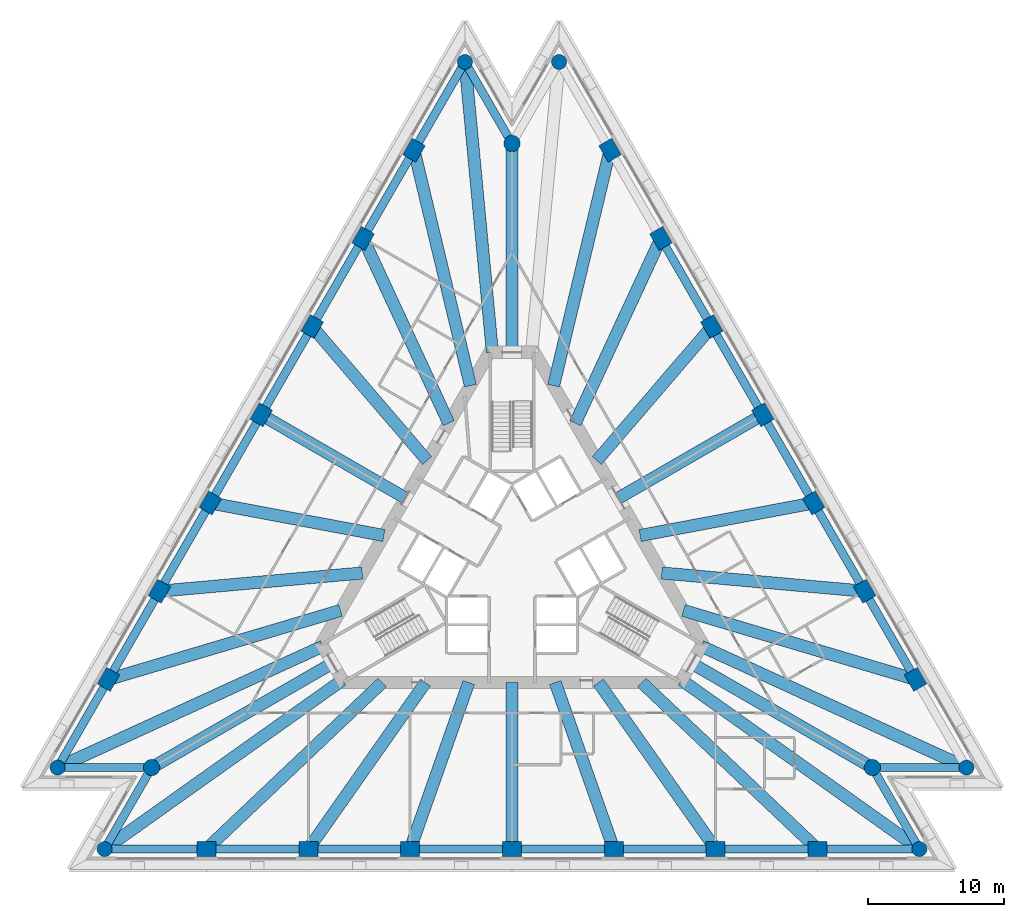
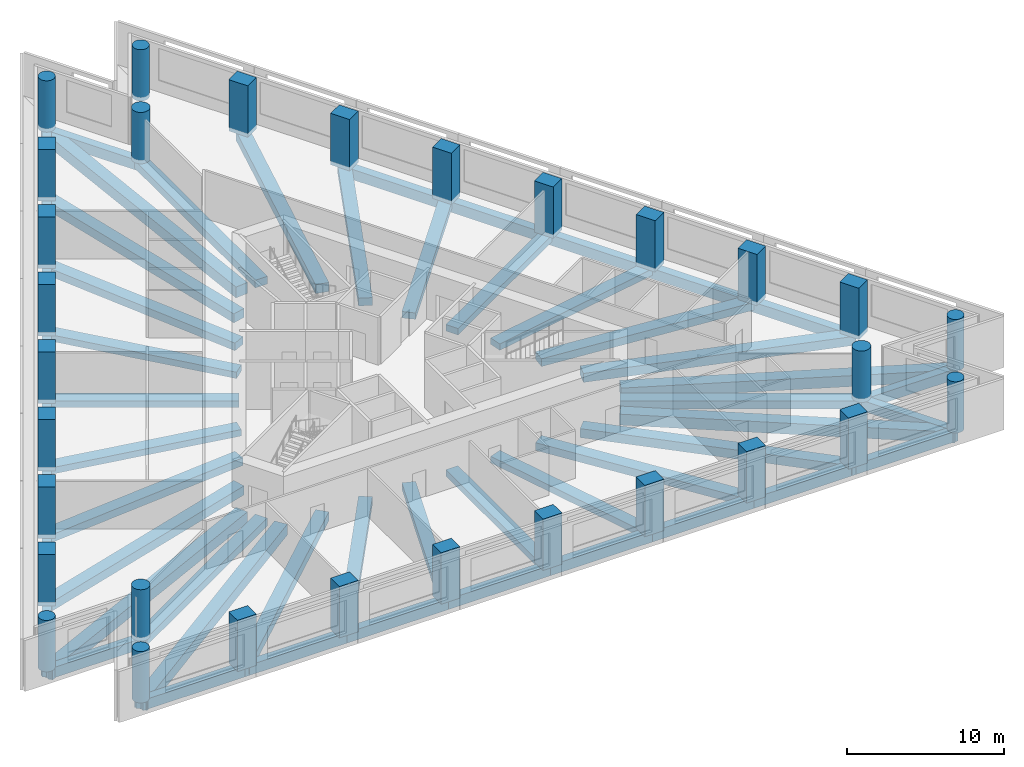
# One storey, part 1 of 9: 55 beams, 30 columns.
"""IFC4 building model written with IfcOpenShell, lengths in metres."""

import ifcopenshell
import ifcopenshell.guid

model = None  # the IFC model being written
_history = None  # IfcOwnerHistory: only IFC2X3 demands one
_inside = {}  # id of a spatial element -> (the spatial element, [elements in it])
_under = {}  # id of a project, library or spatial element -> (it, [spatial elements below it])
_declared = {}  # id of a project -> (the project, [libraries it declares])
_typed = {}  # id of a type object -> (the type object, [elements of that type])
_made_of = {}  # id of a material, layer set ... -> (it, [elements and type objects made of it])


def new_model(schema):
    """Start an empty IFC model of exactly this schema.

    Asked for "IFC4X3", IfcOpenShell would pick the latest addendum, in which some entities
    have other attributes; the version numbers below select the first issue.
    IFC2X3 requires an IfcOwnerHistory on every rooted entity: one is made here for all.
    """
    global model, _history
    if schema == "IFC4X3":
        model = ifcopenshell.file(schema_version=(4, 3, 0, 0))
    else:
        model = ifcopenshell.file(schema=schema)
    _inside.clear()
    _under.clear()
    _declared.clear()
    _typed.clear()
    _made_of.clear()
    _history = None
    if model.schema == "IFC2X3":
        org = make("IfcOrganization", Name="unknown")
        user = make(
            "IfcPersonAndOrganization",
            ThePerson=make("IfcPerson", FamilyName="unknown"),
            TheOrganization=org,
        )
        app = make(
            "IfcApplication",
            ApplicationDeveloper=org,
            Version="unknown",
            ApplicationFullName="unknown",
            ApplicationIdentifier="unknown",
        )
        _history = make(
            "IfcOwnerHistory",
            OwningUser=user,
            OwningApplication=app,
            ChangeAction="ADDED",
            CreationDate=0,
        )
    return model


def make(cls, **values):
    """One entity of the class cls with the attributes given. An attribute that is None is left unset."""
    return model.create_entity(
        cls, **{name: value for name, value in values.items() if value is not None}
    )


def rooted(cls, **values):
    """An entity with a GlobalId (a new one), such as an element, a storey or a relation."""
    return make(cls, GlobalId=ifcopenshell.guid.new(), OwnerHistory=_history, **values)


def si_unit(unit_type, name, prefix=None):
    """IfcSIUnit, for example si_unit("LENGTHUNIT", "METRE", prefix="MILLI")."""
    return make("IfcSIUnit", UnitType=unit_type, Prefix=prefix, Name=name)


def assignment(units):
    """IfcUnitAssignment: the units of a project."""
    return None if units is None else make("IfcUnitAssignment", Units=units)


def point(xyz):
    """IfcCartesianPoint."""
    return None if xyz is None else make("IfcCartesianPoint", Coordinates=xyz)


def direction(xyz):
    """IfcDirection."""
    return None if xyz is None else make("IfcDirection", DirectionRatios=xyz)


def frame(location, z_axis=None, x_axis=None):
    """IfcAxis2Placement3D, a coordinate frame: its origin and axes. An axis left out is left unset."""
    return make(
        "IfcAxis2Placement3D",
        Location=point(location),
        Axis=direction(z_axis),
        RefDirection=direction(x_axis),
    )


def frame_2d(location, x_axis=None):
    """IfcAxis2Placement2D, a coordinate frame in the plane: its origin and x axis."""
    return make(
        "IfcAxis2Placement2D", Location=point(location), RefDirection=direction(x_axis)
    )


def origin():
    """The frame at (0, 0, 0) with its axes left unset."""
    return frame((0.0, 0.0, 0.0))


def origin_2d():
    """The frame at (0, 0) in the plane with its x axis left unset."""
    return frame_2d((0.0, 0.0))


def place(relative_to, where):
    """IfcLocalPlacement: puts the frame where relative to a parent placement (None: the world)."""
    return make(
        "IfcLocalPlacement", PlacementRelTo=relative_to, RelativePlacement=where
    )


def context(
    kind, dimensions, precision=None, world=None, true_north=None, identifier=None
):
    """IfcGeometricRepresentationContext, for example the 3D "Model" context."""
    return make(
        "IfcGeometricRepresentationContext",
        ContextIdentifier=identifier,
        ContextType=kind,
        CoordinateSpaceDimension=dimensions,
        Precision=precision,
        WorldCoordinateSystem=world,
        TrueNorth=true_north,
    )


def subcontext(parent, identifier, kind, view, scale=None):
    """IfcGeometricRepresentationSubContext, for example "Body" below "Model"."""
    return make(
        "IfcGeometricRepresentationSubContext",
        ContextIdentifier=identifier,
        ContextType=kind,
        ParentContext=parent,
        TargetScale=scale,
        TargetView=view,
    )


def project(units=None, contexts=None):
    """IfcProject with its units and contexts."""
    return rooted(
        "IfcProject",
        Name="project",
        RepresentationContexts=contexts,
        UnitsInContext=assignment(units),
    )


def spatial(cls, under=None, at=None, **own):
    """A site, building, storey or space (cls), placed at a placement, below another one or the project."""
    s = rooted(cls, ObjectPlacement=at, **own)
    if under is not None:
        _under.setdefault(under.id(), (under, []))[1].append(s)
    return s


def profile(cls, at=None, kind="AREA", **sizes):
    """A parametric profile (cls). Its sizes go by their IFC names, for example OverallWidth=200.0."""
    return make(cls, ProfileType=kind, Position=at, **sizes)


def rectangle(**sizes):
    """IfcRectangleProfileDef."""
    return profile("IfcRectangleProfileDef", **sizes)


def circle(**sizes):
    """IfcCircleProfileDef."""
    return profile("IfcCircleProfileDef", **sizes)


def extrude(swept, where, along, depth):
    """IfcExtrudedAreaSolid: the profile swept, set in the frame where, extruded along a direction by depth."""
    return make(
        "IfcExtrudedAreaSolid",
        SweptArea=swept,
        Position=where,
        ExtrudedDirection=direction(along),
        Depth=depth,
    )


def shape(context_of_items, identifier, shape_type, items):
    """IfcShapeRepresentation: the items that make up one representation, for example the "Body"."""
    return make(
        "IfcShapeRepresentation",
        ContextOfItems=context_of_items,
        RepresentationIdentifier=identifier,
        RepresentationType=shape_type,
        Items=items,
    )


def material(Name=None, Category=None):
    """IfcMaterial."""
    return make("IfcMaterial", Name=Name, Category=Category)


def material_profile(
    of_material, cross_section, Name=None, Category=None, Priority=None
):
    """IfcMaterialProfile: a cross section and its material."""
    return make(
        "IfcMaterialProfile",
        Name=Name,
        Material=of_material,
        Profile=cross_section,
        Priority=Priority,
        Category=Category,
    )


def profile_set(profiles, Name=None, composite=None):
    """IfcMaterialProfileSet."""
    return make(
        "IfcMaterialProfileSet",
        Name=Name,
        MaterialProfiles=profiles,
        CompositeProfile=composite,
    )


def made_of(thing, what):
    """Note that an element or type object is made of a material, layer set ...; save() writes the relation."""
    if what is not None:
        _made_of.setdefault(what.id(), (what, []))[1].append(thing)
    return thing


def type_object(cls, material=None, **own):
    """A type object (cls), such as IfcWallType, which elements share."""
    return made_of(rooted(cls, **own), material)


def element(
    cls,
    number,
    at=None,
    inside=None,
    cuts=None,
    type_object=None,
    material=None,
    context=None,
    identifier="Body",
    shape_type=None,
    held_by="IfcProductDefinitionShape",
    body=None,
    shapes=None,
    **own,
):
    """One element of the class cls, such as IfcWall. Its Tag is "e" and its number.

    at: its placement. inside: the storey or other place that contains it. cuts: it is an
    opening in that element (IfcRelVoidsElement). A single representation is given by context,
    identifier, shape_type and body (its items); several are given by shapes. held_by: the class
    of the entity that holds the representations. save() writes the other relations.
    """
    e = rooted(cls, Tag="e%d" % number, ObjectPlacement=at, **own)
    if body is not None:
        shapes = [shape(context, identifier, shape_type, body)]
    if shapes is not None:
        e.Representation = make(held_by, Representations=shapes)
    if inside is not None:
        _inside.setdefault(inside.id(), (inside, []))[1].append(e)
    if cuts is not None:
        rooted(
            "IfcRelVoidsElement", RelatingBuildingElement=cuts, RelatedOpeningElement=e
        )
    if type_object is not None:
        _typed.setdefault(type_object.id(), (type_object, []))[1].append(e)
    return made_of(e, material)


def aggregate(whole, parts):
    """IfcRelAggregates: a whole, such as a stair, and the parts it consists of."""
    return rooted("IfcRelAggregates", RelatingObject=whole, RelatedObjects=parts)


def save(model, path):
    """Write the relations noted so far, then the file.

    IfcRelAggregates (storeys below a building ...), IfcRelContainedInSpatialStructure (elements
    in a storey), IfcRelDefinesByType, IfcRelAssociatesMaterial and IfcRelDeclares: one each for
    every whole, place, type object, material and project.
    """
    for whole, parts in _under.values():
        aggregate(whole, parts)
    for where, things in _inside.values():
        rooted(
            "IfcRelContainedInSpatialStructure",
            RelatedElements=things,
            RelatingStructure=where,
        )
    for kind, things in _typed.values():
        rooted("IfcRelDefinesByType", RelatedObjects=things, RelatingType=kind)
    for what, things in _made_of.values():
        rooted("IfcRelAssociatesMaterial", RelatedObjects=things, RelatingMaterial=what)
    for by, libraries in _declared.values():
        rooted("IfcRelDeclares", RelatingContext=by, RelatedDefinitions=libraries)
    model.write(path)


model = new_model("IFC4")

# Units and contexts
model_context = context("Model", 3, precision=1e-05, world=origin(), true_north=direction((0.0, 1.0)))
body_context = subcontext(model_context, "Body", "Model", "MODEL_VIEW")
ifc_project = project(units=[si_unit("LENGTHUNIT", "METRE"), si_unit("AREAUNIT", "SQUARE_METRE"), si_unit("VOLUMEUNIT", "CUBIC_METRE"), si_unit("PLANEANGLEUNIT", "RADIAN"), si_unit("MASSUNIT", "GRAM", prefix="KILO")], contexts=[model_context])

# Site, building, storey
site_placement = place(None, origin())
site = spatial("IfcSite", under=ifc_project, at=site_placement, CompositionType="ELEMENT")
building_placement = place(site_placement, origin())
building = spatial("IfcBuilding", under=site, at=building_placement, Name="Triada Interchange Tower", CompositionType="ELEMENT")
storey_placement = place(building_placement, frame((0.0, 0.0, 47.300048828125)))
storey = spatial("IfcBuildingStorey", under=building, at=storey_placement, Name="L09", CompositionType="ELEMENT", Elevation=47.300048828125)

# Columns
ifc_material_1 = material(Name="Concrete C70/85", Category="concrete")
ifc_material_profile_1 = material_profile(ifc_material_1, rectangle(XDim=1.39990234375, YDim=1.10009765625, at=origin_2d()), Name="RC 1400x1100")
ifc_profile_set_1 = profile_set([ifc_material_profile_1], Name="Concrete C70/85")
column_type_1 = type_object("IfcColumnType", Name="Column A face RC 1400x1100", PredefinedType="COLUMN", material=ifc_profile_set_1)
for number, where, z_axis, x_axis, name in (
    (1, (-7.2099609375, 30.126953125, -0.300048828125), (0.0, 0.0, 1.0), (0.5, 0.866025403784, 0.0), "Column CA02 L09"),
    (2, (-10.95703125, 23.635986328125, -0.300048828125), (0.0, 0.0, 1.0), (0.5, 0.866025403784, 0.0), "Column CA03 L09"),
    (3, (-14.705078125, 17.14501953125, -0.300048828125), (0.0, 0.0, 1.0), (0.5, 0.866025403784, 0.0), "Column CA04 L09"),
    (4, (-18.451904296875, 10.654052734375, -0.300048828125), (0.0, 0.0, 1.0), (0.5, 0.866025403784, 0.0), "Column CA05 L09"),
    (5, (-22.199951171875, 4.162109375, -0.300048828125), (0.0, 0.0, 1.0), (0.5, 0.866025403784, 0.0), "Column CA06 L09"),
    (6, (-25.947998046875, -2.3291015625, -0.300048828125), (0.0, 0.0, 1.0), (0.5, 0.866025403784, 0.0), "Column CA07 L09"),
    (7, (-29.695068359375, -8.820068359375, -0.300048828125), (0.0, 0.0, 1.0), (0.5, 0.866025403784, 0.0), "Column CA08 L09"),
    (8, (-22.486083984375, -21.306884765625, -0.300048828125), (0.0, 0.0, 1.0), (1.0, 0.0, 0.0), "Column CA11 L09"),
    (9, (-14.989990234375, -21.306884765625, -0.300048828125), (0.0, 0.0, 1.0), (1.0, 0.0, 0.0), "Column CA12 L09"),
    (10, (-7.4951171875, -21.306884765625, -0.300048828125), (0.0, 0.0, 1.0), (1.0, 0.0, 0.0), "Column CA13 L09"),
    (11, (0.0, -21.306884765625, -0.300048828125), (0.0, 0.0, 1.0), (1.0, 0.0, 0.0), "Column CA14 L09"),
    (12, (7.4951171875, -21.306884765625, -0.300048828125), (0.0, 0.0, 1.0), (1.0, 0.0, 0.0), "Column CA15 L09"),
    (13, (14.990966796875, -21.306884765625, -0.300048828125), (0.0, 0.0, 1.0), (1.0, 0.0, 0.0), "Column CA16 L09"),
    (14, (22.486083984375, -21.306884765625, -0.300048828125), (0.0, 0.0, 1.0), (1.0, 0.0, 0.0), "Column CA17 L09"),
    (15, (29.695068359375, -8.820068359375, -0.300048828125), (0.0, 0.0, 1.0), (-0.5, 0.866025403784, 0.0), "Column CA20 L09"),
    (16, (25.947998046875, -2.3291015625, -0.300048828125), (0.0, 0.0, 1.0), (-0.5, 0.866025403784, 0.0), "Column CA21 L09"),
    (17, (22.199951171875, 4.162109375, -0.300048828125), (0.0, 0.0, 1.0), (-0.5, 0.866025403784, 0.0), "Column CA22 L09"),
    (18, (18.451904296875, 10.654052734375, -0.300048828125), (0.0, 0.0, 1.0), (-0.5, 0.866025403784, 0.0), "Column CA23 L09"),
    (19, (14.705078125, 17.14501953125, -0.300048828125), (0.0, 0.0, 1.0), (-0.5, 0.866025403784, 0.0), "Column CA24 L09"),
    (20, (10.95703125, 23.635986328125, -0.300048828125), (0.0, 0.0, 1.0), (-0.5, 0.866025403784, 0.0), "Column CA25 L09"),
    (21, (7.2099609375, 30.126953125, -0.300048828125), (0.0, 0.0, 1.0), (-0.5, 0.866025403784, 0.0), "Column CA26 L09"),
):
    element("IfcColumn", number, at=place(storey_placement, frame(where, z_axis=z_axis, x_axis=x_axis)), inside=storey, type_object=column_type_1, Name=name, PredefinedType="COLUMN", context=body_context, shape_type="SweptSolid", body=[
        extrude(rectangle(XDim=1.39990234375, YDim=1.10009765625, at=origin_2d()), origin(), (0.0, 0.0, 1.0), 4.0),
    ])
ifc_material_profile_2 = material_profile(ifc_material_1, circle(Radius=0.550048828125, at=origin_2d()), Name="RC D1100")
ifc_profile_set_2 = profile_set([ifc_material_profile_2], Name="Concrete C70/85")
column_type_2 = type_object("IfcColumnType", Name="End column A RC D1100", PredefinedType="COLUMN", material=ifc_profile_set_2)
for number, where, z_axis, x_axis, name in (
    (22, (-3.4619140625, 36.617919921875, -0.300048828125), (0.0, 0.0, 1.0), (0.5, 0.866025403784, 0.0), "Column CA01 L09"),
    (23, (-33.443115234375, -15.31103515625, -0.300048828125), (0.0, 0.0, 1.0), (0.5, 0.866025403784, 0.0), "Column CA09 L09"),
    (24, (-29.98095703125, -21.306884765625, -0.300048828125), (0.0, 0.0, 1.0), (1.0, 0.0, 0.0), "Column CA10 L09"),
    (25, (29.98095703125, -21.306884765625, -0.300048828125), (0.0, 0.0, 1.0), (1.0, 0.0, 0.0), "Column CA18 L09"),
    (26, (33.443115234375, -15.31103515625, -0.300048828125), (0.0, 0.0, 1.0), (-0.5, 0.866025403784, 0.0), "Column CA19 L09"),
    (27, (3.4619140625, 36.617919921875, -0.300048828125), (0.0, 0.0, 1.0), (-0.5, 0.866025403784, 0.0), "Column CA27 L09"),
):
    element("IfcColumn", number, at=place(storey_placement, frame(where, z_axis=z_axis, x_axis=x_axis)), inside=storey, type_object=column_type_2, Name=name, PredefinedType="COLUMN", context=body_context, shape_type="SweptSolid", body=[
        extrude(circle(Radius=0.550048828125, at=origin_2d()), origin(), (0.0, 0.0, 1.0), 4.0),
    ])
ifc_material_profile_3 = material_profile(ifc_material_1, circle(Radius=0.60009765625, at=origin_2d()), Name="RC D1200")
ifc_profile_set_3 = profile_set([ifc_material_profile_3], Name="Concrete C70/85")
column_type_3 = type_object("IfcColumnType", Name="Mega column A RC D1200", PredefinedType="COLUMN", material=ifc_profile_set_3)
for number, where, z_axis, x_axis, name in (
    (28, (0.0, 30.6220703125, -0.300048828125), (0.0, 0.0, 1.0), (1.0, 0.0, 0.0), "Column MA1 L09"),
    (29, (-26.51904296875, -15.31103515625, -0.300048828125), (0.0, 0.0, 1.0), (1.0, 0.0, 0.0), "Column MA2 L09"),
    (30, (26.51904296875, -15.31103515625, -0.300048828125), (0.0, 0.0, 1.0), (1.0, 0.0, 0.0), "Column MA3 L09"),
):
    element("IfcColumn", number, at=place(storey_placement, frame(where, z_axis=z_axis, x_axis=x_axis)), inside=storey, type_object=column_type_3, Name=name, PredefinedType="COLUMN", context=body_context, shape_type="SweptSolid", body=[
        extrude(circle(Radius=0.60009765625, at=origin_2d()), origin(), (0.0, 0.0, 1.0), 4.0),
    ])

# Beams
ifc_material_2 = material(Name="Concrete C50/60", Category="concrete")
ifc_material_profile_4 = material_profile(ifc_material_2, rectangle(XDim=0.89990234375, YDim=0.5, at=origin_2d()), Name="RC 900x500")
ifc_profile_set_4 = profile_set([ifc_material_profile_4], Name="Concrete C50/60")
beam_type_1 = type_object("IfcBeamType", Name="Radial band beam A RC 900x500", PredefinedType="BEAM", material=ifc_profile_set_4)
beam_1_placement = place(storey_placement, frame((-14.705078125, 17.14501953125, -0.550048828125), z_axis=(0.651011070288, -0.759068235643, 0.0), x_axis=(0.759068235643, 0.651011070288, 0.0)))
element("IfcBeam", 31, at=beam_1_placement, inside=storey, type_object=beam_type_1, Name="Radial band beam BA04 L09", PredefinedType="BEAM", context=body_context, shape_type="SweptSolid", body=[
    extrude(rectangle(XDim=0.89990234375, YDim=0.5, at=origin_2d()), origin(), (0.0, 0.0, 1.0), 12.99365234375),
])
beam_2_placement = place(storey_placement, frame((-18.451904296875, 10.654052734375, -0.550048828125), z_axis=(0.866004810444, -0.500035667016, 0.0), x_axis=(0.500035667016, 0.866004810444, 0.0)))
element("IfcBeam", 32, at=beam_2_placement, inside=storey, type_object=beam_type_1, Name="Radial band beam BA05 L09", PredefinedType="BEAM", context=body_context, shape_type="SweptSolid", body=[
    extrude(rectangle(XDim=0.89990234375, YDim=0.5, at=origin_2d()), origin(), (0.0, 0.0, 1.0), 12.25732421875),
])
beam_3_placement = place(storey_placement, frame((-22.199951171875, 4.162109375, -0.550048828125), z_axis=(0.982879418367, -0.184249963229, 0.0), x_axis=(0.184249963229, 0.982879418367, 0.0)))
element("IfcBeam", 33, at=beam_3_placement, inside=storey, type_object=beam_type_1, Name="Radial band beam BA06 L09", PredefinedType="BEAM", context=body_context, shape_type="SweptSolid", body=[
    extrude(rectangle(XDim=0.89990234375, YDim=0.5, at=origin_2d()), origin(), (0.0, 0.0, 1.0), 12.993408203125),
])
beam_4_placement = place(storey_placement, frame((-7.4951171875, -21.306884765625, -0.550048828125), z_axis=(0.331866578847, 0.943326334756, 0.0), x_axis=(-0.943326334756, 0.331866578847, 0.0)))
element("IfcBeam", 34, at=beam_4_placement, inside=storey, type_object=beam_type_1, Name="Radial band beam BA14 L09", PredefinedType="BEAM", context=body_context, shape_type="SweptSolid", body=[
    extrude(rectangle(XDim=0.89990234375, YDim=0.5, at=origin_2d()), origin(), (0.0, 0.0, 1.0), 12.9931640625),
])
beam_5_placement = place(storey_placement, frame((0.0, -21.306884765625, -0.550048828125), z_axis=(0.0, 1.0, 0.0), x_axis=(-1.0, 0.0, 0.0)))
element("IfcBeam", 35, at=beam_5_placement, inside=storey, type_object=beam_type_1, Name="Radial band beam BA15 L09", PredefinedType="BEAM", context=body_context, shape_type="SweptSolid", body=[
    extrude(rectangle(XDim=0.89990234375, YDim=0.5, at=origin_2d()), origin(), (0.0, 0.0, 1.0), 12.2568359375),
])
beam_6_placement = place(storey_placement, frame((7.4951171875, -21.306884765625, -0.550048828125), z_axis=(-0.331866578847, 0.943326334756, 0.0), x_axis=(-0.943326334756, -0.331866578847, 0.0)))
element("IfcBeam", 36, at=beam_6_placement, inside=storey, type_object=beam_type_1, Name="Radial band beam BA16 L09", PredefinedType="BEAM", context=body_context, shape_type="SweptSolid", body=[
    extrude(rectangle(XDim=0.89990234375, YDim=0.5, at=origin_2d()), origin(), (0.0, 0.0, 1.0), 12.9931640625),
])
beam_7_placement = place(storey_placement, frame((22.199951171875, 4.162109375, -0.550048828125), z_axis=(-0.982879418367, -0.184249963229, 0.0), x_axis=(0.184249963229, -0.982879418367, 0.0)))
element("IfcBeam", 37, at=beam_7_placement, inside=storey, type_object=beam_type_1, Name="Radial band beam BA24 L09", PredefinedType="BEAM", context=body_context, shape_type="SweptSolid", body=[
    extrude(rectangle(XDim=0.89990234375, YDim=0.5, at=origin_2d()), origin(), (0.0, 0.0, 1.0), 12.993408203125),
])
beam_8_placement = place(storey_placement, frame((18.451904296875, 10.654052734375, -0.550048828125), z_axis=(-0.866004810444, -0.500035667016, 0.0), x_axis=(0.500035667016, -0.866004810444, 0.0)))
element("IfcBeam", 38, at=beam_8_placement, inside=storey, type_object=beam_type_1, Name="Radial band beam BA25 L09", PredefinedType="BEAM", context=body_context, shape_type="SweptSolid", body=[
    extrude(rectangle(XDim=0.89990234375, YDim=0.5, at=origin_2d()), origin(), (0.0, 0.0, 1.0), 12.25732421875),
])
beam_9_placement = place(storey_placement, frame((14.705078125, 17.14501953125, -0.550048828125), z_axis=(-0.651011070288, -0.759068235643, 0.0), x_axis=(0.759068235643, -0.651011070288, 0.0)))
element("IfcBeam", 39, at=beam_9_placement, inside=storey, type_object=beam_type_1, Name="Radial band beam BA26 L09", PredefinedType="BEAM", context=body_context, shape_type="SweptSolid", body=[
    extrude(rectangle(XDim=0.89990234375, YDim=0.5, at=origin_2d()), origin(), (0.0, 0.0, 1.0), 12.99365234375),
])
ifc_material_profile_5 = material_profile(ifc_material_2, rectangle(XDim=0.89990234375, YDim=0.60009765625, at=origin_2d()), Name="RC 900x600")
ifc_profile_set_5 = profile_set([ifc_material_profile_5], Name="Concrete C50/60")
beam_type_2 = type_object("IfcBeamType", Name="Radial band beam A RC 900x600", PredefinedType="BEAM", material=ifc_profile_set_5)
beam_10_placement = place(storey_placement, frame((-10.95703125, 23.635986328125, -0.60009765625), z_axis=(0.42056894759, -0.907260580166, 0.0), x_axis=(0.907260580166, 0.42056894759, 0.0)))
element("IfcBeam", 40, at=beam_10_placement, inside=storey, type_object=beam_type_2, Name="Radial band beam BA03 L09", PredefinedType="BEAM", context=body_context, shape_type="SweptSolid", body=[
    extrude(rectangle(XDim=0.89990234375, YDim=0.60009765625, at=origin_2d()), origin(), (0.0, 0.0, 1.0), 14.98681640625),
])
beam_11_placement = place(storey_placement, frame((-25.947998046875, -2.3291015625, -0.60009765625), z_axis=(0.995994324065, 0.089416477401, 0.0), x_axis=(-0.089416477401, 0.995994324065, 0.0)))
element("IfcBeam", 41, at=beam_11_placement, inside=storey, type_object=beam_type_2, Name="Radial band beam BA07 L09", PredefinedType="BEAM", context=body_context, shape_type="SweptSolid", body=[
    extrude(rectangle(XDim=0.89990234375, YDim=0.60009765625, at=origin_2d()), origin(), (0.0, 0.0, 1.0), 14.987060546875),
])
beam_12_placement = place(storey_placement, frame((-26.51904296875, -15.31103515625, -0.60009765625), z_axis=(0.866015780646, 0.500016667394, 0.0), x_axis=(-0.500016667394, 0.866015780646, 0.0)))
element("IfcBeam", 42, at=beam_12_placement, inside=storey, type_object=beam_type_2, Name="Radial band beam BA10 L09", PredefinedType="BEAM", context=body_context, shape_type="SweptSolid", body=[
    extrude(rectangle(XDim=0.89990234375, YDim=0.60009765625, at=origin_2d()), origin(), (0.0, 0.0, 1.0), 15.37158203125),
])
beam_13_placement = place(storey_placement, frame((-14.989990234375, -21.306884765625, -0.60009765625), z_axis=(0.575398167171, 0.817873431049, 0.0), x_axis=(-0.817873431049, 0.575398167171, 0.0)))
element("IfcBeam", 43, at=beam_13_placement, inside=storey, type_object=beam_type_2, Name="Radial band beam BA13 L09", PredefinedType="BEAM", context=body_context, shape_type="SweptSolid", body=[
    extrude(rectangle(XDim=0.89990234375, YDim=0.60009765625, at=origin_2d()), origin(), (0.0, 0.0, 1.0), 14.986328125),
])
beam_14_placement = place(storey_placement, frame((14.990966796875, -21.306884765625, -0.60009765625), z_axis=(-0.575441754027, 0.817842764669, 0.0), x_axis=(-0.817842764669, -0.575441754027, 0.0)))
element("IfcBeam", 44, at=beam_14_placement, inside=storey, type_object=beam_type_2, Name="Radial band beam BA17 L09", PredefinedType="BEAM", context=body_context, shape_type="SweptSolid", body=[
    extrude(rectangle(XDim=0.89990234375, YDim=0.60009765625, at=origin_2d()), origin(), (0.0, 0.0, 1.0), 14.98681640625),
])
beam_15_placement = place(storey_placement, frame((26.51904296875, -15.31103515625, -0.60009765625), z_axis=(-0.866015780646, 0.500016667394, 0.0), x_axis=(-0.500016667394, -0.866015780646, 0.0)))
element("IfcBeam", 45, at=beam_15_placement, inside=storey, type_object=beam_type_2, Name="Radial band beam BA20 L09", PredefinedType="BEAM", context=body_context, shape_type="SweptSolid", body=[
    extrude(rectangle(XDim=0.89990234375, YDim=0.60009765625, at=origin_2d()), origin(), (0.0, 0.0, 1.0), 15.37158203125),
])
beam_16_placement = place(storey_placement, frame((25.947998046875, -2.3291015625, -0.60009765625), z_axis=(-0.995994324065, 0.089416477401, 0.0), x_axis=(-0.089416477401, -0.995994324065, 0.0)))
element("IfcBeam", 46, at=beam_16_placement, inside=storey, type_object=beam_type_2, Name="Radial band beam BA23 L09", PredefinedType="BEAM", context=body_context, shape_type="SweptSolid", body=[
    extrude(rectangle(XDim=0.89990234375, YDim=0.60009765625, at=origin_2d()), origin(), (0.0, 0.0, 1.0), 14.987060546875),
])
beam_17_placement = place(storey_placement, frame((10.95703125, 23.635986328125, -0.60009765625), z_axis=(-0.42056894759, -0.907260580166, 0.0), x_axis=(0.907260580166, -0.42056894759, 0.0)))
element("IfcBeam", 47, at=beam_17_placement, inside=storey, type_object=beam_type_2, Name="Radial band beam BA27 L09", PredefinedType="BEAM", context=body_context, shape_type="SweptSolid", body=[
    extrude(rectangle(XDim=0.89990234375, YDim=0.60009765625, at=origin_2d()), origin(), (0.0, 0.0, 1.0), 14.98681640625),
])
beam_18_placement = place(storey_placement, frame((0.0, 30.6220703125, -0.60009765625), z_axis=(0.0, -1.0, 0.0), x_axis=(1.0, 0.0, 0.0)))
element("IfcBeam", 48, at=beam_18_placement, inside=storey, type_object=beam_type_2, Name="Radial band beam BA30 L09", PredefinedType="BEAM", context=body_context, shape_type="SweptSolid", body=[
    extrude(rectangle(XDim=0.89990234375, YDim=0.60009765625, at=origin_2d()), origin(), (0.0, 0.0, 1.0), 15.3720703125),
])
ifc_material_profile_6 = material_profile(ifc_material_2, rectangle(XDim=0.89990234375, YDim=0.699951171875, at=origin_2d()), Name="RC 900x700")
ifc_profile_set_6 = profile_set([ifc_material_profile_6], Name="Concrete C50/60")
beam_type_3 = type_object("IfcBeamType", Name="Radial band beam A RC 900x700", PredefinedType="BEAM", material=ifc_profile_set_6)
beam_19_placement = place(storey_placement, frame((-7.2099609375, 30.126953125, -0.650146484375), z_axis=(0.232750117598, -0.972536571425, 0.0), x_axis=(0.972536571425, 0.232750117598, 0.0)))
element("IfcBeam", 49, at=beam_19_placement, inside=storey, type_object=beam_type_3, Name="Radial band beam BA02 L09", PredefinedType="BEAM", context=body_context, shape_type="SweptSolid", body=[
    extrude(rectangle(XDim=0.89990234375, YDim=0.699951171875, at=origin_2d()), origin(), (0.0, 0.0, 1.0), 17.821533203125),
])
beam_20_placement = place(storey_placement, frame((-29.695068359375, -8.820068359375, -0.650146484375), z_axis=(0.958604804109, 0.284739933166, 0.0), x_axis=(-0.284739933166, 0.958604804109, 0.0)))
element("IfcBeam", 50, at=beam_20_placement, inside=storey, type_object=beam_type_3, Name="Radial band beam BA08 L09", PredefinedType="BEAM", context=body_context, shape_type="SweptSolid", body=[
    extrude(rectangle(XDim=0.89990234375, YDim=0.699951171875, at=origin_2d()), origin(), (0.0, 0.0, 1.0), 17.819580078125),
])
for number, where, z_axis, x_axis, name in (
    (51, (-22.486083984375, -21.306884765625, -0.650146484375), (0.725880677222, 0.687820646998, 0.0), (-0.687820646998, 0.725880677222, 0.0), "Radial band beam BA12 L09"),
    (52, (22.486083984375, -21.306884765625, -0.650146484375), (-0.725880677222, 0.687820646998, 0.0), (-0.687820646998, -0.725880677222, 0.0), "Radial band beam BA18 L09"),
):
    element("IfcBeam", number, at=place(storey_placement, frame(where, z_axis=z_axis, x_axis=x_axis)), inside=storey, type_object=beam_type_3, Name=name, PredefinedType="BEAM", context=body_context, shape_type="SweptSolid", body=[
        extrude(rectangle(XDim=0.89990234375, YDim=0.699951171875, at=origin_2d()), origin(), (0.0, 0.0, 1.0), 17.81982421875),
    ])
beam_21_placement = place(storey_placement, frame((29.695068359375, -8.820068359375, -0.650146484375), z_axis=(-0.958604804109, 0.284739933166, 0.0), x_axis=(-0.284739933166, -0.958604804109, 0.0)))
element("IfcBeam", 53, at=beam_21_placement, inside=storey, type_object=beam_type_3, Name="Radial band beam BA22 L09", PredefinedType="BEAM", context=body_context, shape_type="SweptSolid", body=[
    extrude(rectangle(XDim=0.89990234375, YDim=0.699951171875, at=origin_2d()), origin(), (0.0, 0.0, 1.0), 17.819580078125),
])
beam_22_placement = place(storey_placement, frame((7.2099609375, 30.126953125, -0.650146484375), z_axis=(-0.232750117598, -0.972536571425, 0.0), x_axis=(0.972536571425, -0.232750117598, 0.0)))
element("IfcBeam", 54, at=beam_22_placement, inside=storey, type_object=beam_type_3, Name="Radial band beam BA28 L09", PredefinedType="BEAM", context=body_context, shape_type="SweptSolid", body=[
    extrude(rectangle(XDim=0.89990234375, YDim=0.699951171875, at=origin_2d()), origin(), (0.0, 0.0, 1.0), 17.821533203125),
])
ifc_material_profile_7 = material_profile(ifc_material_2, rectangle(XDim=0.89990234375, YDim=0.85009765625, at=origin_2d()), Name="RC 900x850")
ifc_profile_set_7 = profile_set([ifc_material_profile_7], Name="Concrete C50/60")
beam_type_4 = type_object("IfcBeamType", Name="Radial band beam A RC 900x850", PredefinedType="BEAM", material=ifc_profile_set_7)
beam_23_placement = place(storey_placement, frame((-3.4619140625, 36.617919921875, -0.72509765625), z_axis=(0.09411553587, -0.995561281844, 0.0), x_axis=(0.995561281844, 0.09411553587, 0.0)))
element("IfcBeam", 55, at=beam_23_placement, inside=storey, type_object=beam_type_4, Name="Radial band beam BA01 L09", PredefinedType="BEAM", context=body_context, shape_type="SweptSolid", body=[
    extrude(rectangle(XDim=0.89990234375, YDim=0.85009765625, at=origin_2d()), origin(), (0.0, 0.0, 1.0), 21.463134765625),
])
beam_24_placement = place(storey_placement, frame((-33.443115234375, -15.31103515625, -0.72509765625), z_axis=(0.909247485813, 0.416255942351, 0.0), x_axis=(-0.416255942351, 0.909247485813, 0.0)))
element("IfcBeam", 56, at=beam_24_placement, inside=storey, type_object=beam_type_4, Name="Radial band beam BA09 L09", PredefinedType="BEAM", context=body_context, shape_type="SweptSolid", body=[
    extrude(rectangle(XDim=0.89990234375, YDim=0.85009765625, at=origin_2d()), origin(), (0.0, 0.0, 1.0), 21.462890625),
])
for number, where, z_axis, x_axis, name in (
    (57, (-29.98095703125, -21.306884765625, -0.72509765625), (0.815129947367, 0.579278144681, 0.0), (-0.579278144681, 0.815129947367, 0.0), "Radial band beam BA11 L09"),
    (58, (29.98095703125, -21.306884765625, -0.72509765625), (-0.815129947367, 0.579278144681, 0.0), (-0.579278144681, -0.815129947367, 0.0), "Radial band beam BA19 L09"),
):
    element("IfcBeam", number, at=place(storey_placement, frame(where, z_axis=z_axis, x_axis=x_axis)), inside=storey, type_object=beam_type_4, Name=name, PredefinedType="BEAM", context=body_context, shape_type="SweptSolid", body=[
        extrude(rectangle(XDim=0.89990234375, YDim=0.85009765625, at=origin_2d()), origin(), (0.0, 0.0, 1.0), 21.462646484375),
    ])
beam_25_placement = place(storey_placement, frame((33.443115234375, -15.31103515625, -0.72509765625), z_axis=(-0.909247485813, 0.416255942351, 0.0), x_axis=(-0.416255942351, -0.909247485813, 0.0)))
element("IfcBeam", 59, at=beam_25_placement, inside=storey, type_object=beam_type_4, Name="Radial band beam BA21 L09", PredefinedType="BEAM", context=body_context, shape_type="SweptSolid", body=[
    extrude(rectangle(XDim=0.89990234375, YDim=0.85009765625, at=origin_2d()), origin(), (0.0, 0.0, 1.0), 21.462890625),
])
ifc_material_profile_8 = material_profile(ifc_material_2, rectangle(XDim=0.60009765625, YDim=0.800048828125, at=origin_2d()), Name="RC 600x800")
ifc_profile_set_8 = profile_set([ifc_material_profile_8], Name="Concrete C50/60")
beam_type_5 = type_object("IfcBeamType", Name="Spandrel beam A RC 600x800", PredefinedType="BEAM", material=ifc_profile_set_8)
beam_26_placement = place(storey_placement, frame((-3.4619140625, 36.617919921875, -0.699951171875), z_axis=(-0.500048573981, -0.865997357767, 0.0), x_axis=(0.865997357767, -0.500048573981, 0.0)))
element("IfcBeam", 60, at=beam_26_placement, inside=storey, type_object=beam_type_5, Name="Spandrel beam EA01 L09", PredefinedType="BEAM", context=body_context, shape_type="SweptSolid", body=[
    extrude(rectangle(XDim=0.60009765625, YDim=0.800048828125, at=origin_2d()), origin(), (0.0, 0.0, 1.0), 7.495361328125),
])
beam_27_placement = place(storey_placement, frame((-7.2099609375, 30.126953125, -0.699951171875), z_axis=(-0.49995085413, -0.866053776307, 0.0), x_axis=(0.866053776307, -0.49995085413, 0.0)))
element("IfcBeam", 61, at=beam_27_placement, inside=storey, type_object=beam_type_5, Name="Spandrel beam EA02 L09", PredefinedType="BEAM", context=body_context, shape_type="SweptSolid", body=[
    extrude(rectangle(XDim=0.60009765625, YDim=0.800048828125, at=origin_2d()), origin(), (0.0, 0.0, 1.0), 7.494873046875),
])
beam_28_placement = place(storey_placement, frame((-10.95703125, 23.635986328125, -0.699951171875), z_axis=(-0.500048573981, -0.865997357767, 0.0), x_axis=(0.865997357767, -0.500048573981, 0.0)))
element("IfcBeam", 62, at=beam_28_placement, inside=storey, type_object=beam_type_5, Name="Spandrel beam EA03 L09", PredefinedType="BEAM", context=body_context, shape_type="SweptSolid", body=[
    extrude(rectangle(XDim=0.60009765625, YDim=0.800048828125, at=origin_2d()), origin(), (0.0, 0.0, 1.0), 7.495361328125),
])
beam_29_placement = place(storey_placement, frame((-14.705078125, 17.14501953125, -0.699951171875), z_axis=(-0.499926421183, -0.866067880367, 0.0), x_axis=(0.866067880367, -0.499926421183, 0.0)))
element("IfcBeam", 63, at=beam_29_placement, inside=storey, type_object=beam_type_5, Name="Spandrel beam EA04 L09", PredefinedType="BEAM", context=body_context, shape_type="SweptSolid", body=[
    extrude(rectangle(XDim=0.60009765625, YDim=0.800048828125, at=origin_2d()), origin(), (0.0, 0.0, 1.0), 7.494873046875),
])
beam_30_placement = place(storey_placement, frame((-18.451904296875, 10.654052734375, -0.699951171875), z_axis=(-0.499992158909, -0.866029930793, 0.0), x_axis=(0.866029930793, -0.499992158909, 0.0)))
element("IfcBeam", 64, at=beam_30_placement, inside=storey, type_object=beam_type_5, Name="Spandrel beam EA05 L09", PredefinedType="BEAM", context=body_context, shape_type="SweptSolid", body=[
    extrude(rectangle(XDim=0.60009765625, YDim=0.800048828125, at=origin_2d()), origin(), (0.0, 0.0, 1.0), 7.49609375),
])
beam_31_placement = place(storey_placement, frame((-22.199951171875, 4.162109375, -0.699951171875), z_axis=(-0.500034469219, -0.866005502057, 0.0), x_axis=(0.866005502057, -0.500034469219, 0.0)))
element("IfcBeam", 65, at=beam_31_placement, inside=storey, type_object=beam_type_5, Name="Spandrel beam EA06 L09", PredefinedType="BEAM", context=body_context, shape_type="SweptSolid", body=[
    extrude(rectangle(XDim=0.60009765625, YDim=0.800048828125, at=origin_2d()), origin(), (0.0, 0.0, 1.0), 7.49560546875),
])
beam_32_placement = place(storey_placement, frame((-25.947998046875, -2.3291015625, -0.699951171875), z_axis=(-0.49995085413, -0.866053776307, 0.0), x_axis=(0.866053776307, -0.49995085413, 0.0)))
element("IfcBeam", 66, at=beam_32_placement, inside=storey, type_object=beam_type_5, Name="Spandrel beam EA07 L09", PredefinedType="BEAM", context=body_context, shape_type="SweptSolid", body=[
    extrude(rectangle(XDim=0.60009765625, YDim=0.800048828125, at=origin_2d()), origin(), (0.0, 0.0, 1.0), 7.494873046875),
])
beam_33_placement = place(storey_placement, frame((-29.695068359375, -8.820068359375, -0.699951171875), z_axis=(-0.500048573981, -0.865997357767, 0.0), x_axis=(0.865997357767, -0.500048573981, 0.0)))
element("IfcBeam", 67, at=beam_33_placement, inside=storey, type_object=beam_type_5, Name="Spandrel beam EA08 L09", PredefinedType="BEAM", context=body_context, shape_type="SweptSolid", body=[
    extrude(rectangle(XDim=0.60009765625, YDim=0.800048828125, at=origin_2d()), origin(), (0.0, 0.0, 1.0), 7.495361328125),
])
beam_34_placement = place(storey_placement, frame((-33.443115234375, -15.31103515625, -0.699951171875), z_axis=(1.0, 0.0, 0.0), x_axis=(0.0, 1.0, 0.0)))
element("IfcBeam", 68, at=beam_34_placement, inside=storey, type_object=beam_type_5, Name="Spandrel beam EA09 L09", PredefinedType="BEAM", context=body_context, shape_type="SweptSolid", body=[
    extrude(rectangle(XDim=0.60009765625, YDim=0.800048828125, at=origin_2d()), origin(), (0.0, 0.0, 1.0), 6.924072265625),
])
beam_35_placement = place(storey_placement, frame((-26.51904296875, -15.31103515625, -0.699951171875), z_axis=(-0.50002260502, -0.866012352376, 0.0), x_axis=(0.866012352376, -0.50002260502, 0.0)))
element("IfcBeam", 69, at=beam_35_placement, inside=storey, type_object=beam_type_5, Name="Spandrel beam EA10 L09", PredefinedType="BEAM", context=body_context, shape_type="SweptSolid", body=[
    extrude(rectangle(XDim=0.60009765625, YDim=0.800048828125, at=origin_2d()), origin(), (0.0, 0.0, 1.0), 6.923583984375),
])
beam_36_placement = place(storey_placement, frame((-29.98095703125, -21.306884765625, -0.699951171875), z_axis=(1.0, 0.0, 0.0), x_axis=(0.0, 1.0, 0.0)))
element("IfcBeam", 70, at=beam_36_placement, inside=storey, type_object=beam_type_5, Name="Spandrel beam EA11 L09", PredefinedType="BEAM", context=body_context, shape_type="SweptSolid", body=[
    extrude(rectangle(XDim=0.60009765625, YDim=0.800048828125, at=origin_2d()), origin(), (0.0, 0.0, 1.0), 7.494873046875),
])
beam_37_placement = place(storey_placement, frame((-22.486083984375, -21.306884765625, -0.699951171875), z_axis=(1.0, 0.0, 0.0), x_axis=(0.0, 1.0, 0.0)))
element("IfcBeam", 71, at=beam_37_placement, inside=storey, type_object=beam_type_5, Name="Spandrel beam EA12 L09", PredefinedType="BEAM", context=body_context, shape_type="SweptSolid", body=[
    extrude(rectangle(XDim=0.60009765625, YDim=0.800048828125, at=origin_2d()), origin(), (0.0, 0.0, 1.0), 7.49609375),
])
beam_38_placement = place(storey_placement, frame((-14.989990234375, -21.306884765625, -0.699951171875), z_axis=(1.0, 0.0, 0.0), x_axis=(0.0, 1.0, 0.0)))
element("IfcBeam", 72, at=beam_38_placement, inside=storey, type_object=beam_type_5, Name="Spandrel beam EA13 L09", PredefinedType="BEAM", context=body_context, shape_type="SweptSolid", body=[
    extrude(rectangle(XDim=0.60009765625, YDim=0.800048828125, at=origin_2d()), origin(), (0.0, 0.0, 1.0), 7.494873046875),
])
for number, where, z_axis, x_axis, name in (
    (73, (-7.4951171875, -21.306884765625, -0.699951171875), (1.0, 0.0, 0.0), (0.0, 1.0, 0.0), "Spandrel beam EA14 L09"),
    (74, (0.0, -21.306884765625, -0.699951171875), (1.0, 0.0, 0.0), (0.0, 1.0, 0.0), "Spandrel beam EA15 L09"),
):
    element("IfcBeam", number, at=place(storey_placement, frame(where, z_axis=z_axis, x_axis=x_axis)), inside=storey, type_object=beam_type_5, Name=name, PredefinedType="BEAM", context=body_context, shape_type="SweptSolid", body=[
        extrude(rectangle(XDim=0.60009765625, YDim=0.800048828125, at=origin_2d()), origin(), (0.0, 0.0, 1.0), 7.4951171875),
    ])
beam_39_placement = place(storey_placement, frame((7.4951171875, -21.306884765625, -0.699951171875), z_axis=(1.0, 0.0, 0.0), x_axis=(0.0, 1.0, 0.0)))
element("IfcBeam", 75, at=beam_39_placement, inside=storey, type_object=beam_type_5, Name="Spandrel beam EA16 L09", PredefinedType="BEAM", context=body_context, shape_type="SweptSolid", body=[
    extrude(rectangle(XDim=0.60009765625, YDim=0.800048828125, at=origin_2d()), origin(), (0.0, 0.0, 1.0), 7.495849609375),
])
beam_40_placement = place(storey_placement, frame((14.990966796875, -21.306884765625, -0.699951171875), z_axis=(1.0, 0.0, 0.0), x_axis=(0.0, 1.0, 0.0)))
element("IfcBeam", 76, at=beam_40_placement, inside=storey, type_object=beam_type_5, Name="Spandrel beam EA17 L09", PredefinedType="BEAM", context=body_context, shape_type="SweptSolid", body=[
    extrude(rectangle(XDim=0.60009765625, YDim=0.800048828125, at=origin_2d()), origin(), (0.0, 0.0, 1.0), 7.4951171875),
])
beam_41_placement = place(storey_placement, frame((22.486083984375, -21.306884765625, -0.699951171875), z_axis=(1.0, 0.0, 0.0), x_axis=(0.0, 1.0, 0.0)))
element("IfcBeam", 77, at=beam_41_placement, inside=storey, type_object=beam_type_5, Name="Spandrel beam EA18 L09", PredefinedType="BEAM", context=body_context, shape_type="SweptSolid", body=[
    extrude(rectangle(XDim=0.60009765625, YDim=0.800048828125, at=origin_2d()), origin(), (0.0, 0.0, 1.0), 7.494873046875),
])
beam_42_placement = place(storey_placement, frame((29.98095703125, -21.306884765625, -0.699951171875), z_axis=(-0.50002260502, 0.866012352376, 0.0), x_axis=(-0.866012352376, -0.50002260502, 0.0)))
element("IfcBeam", 78, at=beam_42_placement, inside=storey, type_object=beam_type_5, Name="Spandrel beam EA19 L09", PredefinedType="BEAM", context=body_context, shape_type="SweptSolid", body=[
    extrude(rectangle(XDim=0.60009765625, YDim=0.800048828125, at=origin_2d()), origin(), (0.0, 0.0, 1.0), 6.923583984375),
])
beam_43_placement = place(storey_placement, frame((26.51904296875, -15.31103515625, -0.699951171875), z_axis=(1.0, 0.0, 0.0), x_axis=(0.0, 1.0, 0.0)))
element("IfcBeam", 79, at=beam_43_placement, inside=storey, type_object=beam_type_5, Name="Spandrel beam EA20 L09", PredefinedType="BEAM", context=body_context, shape_type="SweptSolid", body=[
    extrude(rectangle(XDim=0.60009765625, YDim=0.800048828125, at=origin_2d()), origin(), (0.0, 0.0, 1.0), 6.924072265625),
])
beam_44_placement = place(storey_placement, frame((29.695068359375, -8.820068359375, -0.699951171875), z_axis=(-0.49995085413, 0.866053776307, 0.0), x_axis=(-0.866053776307, -0.49995085413, 0.0)))
element("IfcBeam", 80, at=beam_44_placement, inside=storey, type_object=beam_type_5, Name="Spandrel beam EA22 L09", PredefinedType="BEAM", context=body_context, shape_type="SweptSolid", body=[
    extrude(rectangle(XDim=0.60009765625, YDim=0.800048828125, at=origin_2d()), origin(), (0.0, 0.0, 1.0), 7.494873046875),
])
beam_45_placement = place(storey_placement, frame((25.947998046875, -2.3291015625, -0.699951171875), z_axis=(-0.500034469219, 0.866005502057, 0.0), x_axis=(-0.866005502057, -0.500034469219, 0.0)))
element("IfcBeam", 81, at=beam_45_placement, inside=storey, type_object=beam_type_5, Name="Spandrel beam EA23 L09", PredefinedType="BEAM", context=body_context, shape_type="SweptSolid", body=[
    extrude(rectangle(XDim=0.60009765625, YDim=0.800048828125, at=origin_2d()), origin(), (0.0, 0.0, 1.0), 7.49560546875),
])
beam_46_placement = place(storey_placement, frame((22.199951171875, 4.162109375, -0.699951171875), z_axis=(-0.499992158909, 0.866029930793, 0.0), x_axis=(-0.866029930793, -0.499992158909, 0.0)))
element("IfcBeam", 82, at=beam_46_placement, inside=storey, type_object=beam_type_5, Name="Spandrel beam EA24 L09", PredefinedType="BEAM", context=body_context, shape_type="SweptSolid", body=[
    extrude(rectangle(XDim=0.60009765625, YDim=0.800048828125, at=origin_2d()), origin(), (0.0, 0.0, 1.0), 7.49609375),
])
beam_47_placement = place(storey_placement, frame((18.451904296875, 10.654052734375, -0.699951171875), z_axis=(-0.499926421183, 0.866067880367, 0.0), x_axis=(-0.866067880367, -0.499926421183, 0.0)))
element("IfcBeam", 83, at=beam_47_placement, inside=storey, type_object=beam_type_5, Name="Spandrel beam EA25 L09", PredefinedType="BEAM", context=body_context, shape_type="SweptSolid", body=[
    extrude(rectangle(XDim=0.60009765625, YDim=0.800048828125, at=origin_2d()), origin(), (0.0, 0.0, 1.0), 7.494873046875),
])
beam_48_placement = place(storey_placement, frame((14.705078125, 17.14501953125, -0.699951171875), z_axis=(-0.500048573981, 0.865997357767, 0.0), x_axis=(-0.865997357767, -0.500048573981, 0.0)))
element("IfcBeam", 84, at=beam_48_placement, inside=storey, type_object=beam_type_5, Name="Spandrel beam EA26 L09", PredefinedType="BEAM", context=body_context, shape_type="SweptSolid", body=[
    extrude(rectangle(XDim=0.60009765625, YDim=0.800048828125, at=origin_2d()), origin(), (0.0, 0.0, 1.0), 7.495361328125),
])
beam_49_placement = place(storey_placement, frame((0.0, 30.6220703125, -0.699951171875), z_axis=(-0.50002260502, 0.866012352376, 0.0), x_axis=(-0.866012352376, -0.50002260502, 0.0)))
element("IfcBeam", 85, at=beam_49_placement, inside=storey, type_object=beam_type_5, Name="Spandrel beam EA30 L09", PredefinedType="BEAM", context=body_context, shape_type="SweptSolid", body=[
    extrude(rectangle(XDim=0.60009765625, YDim=0.800048828125, at=origin_2d()), origin(), (0.0, 0.0, 1.0), 6.923583984375),
])

save(model, "model.ifc")
